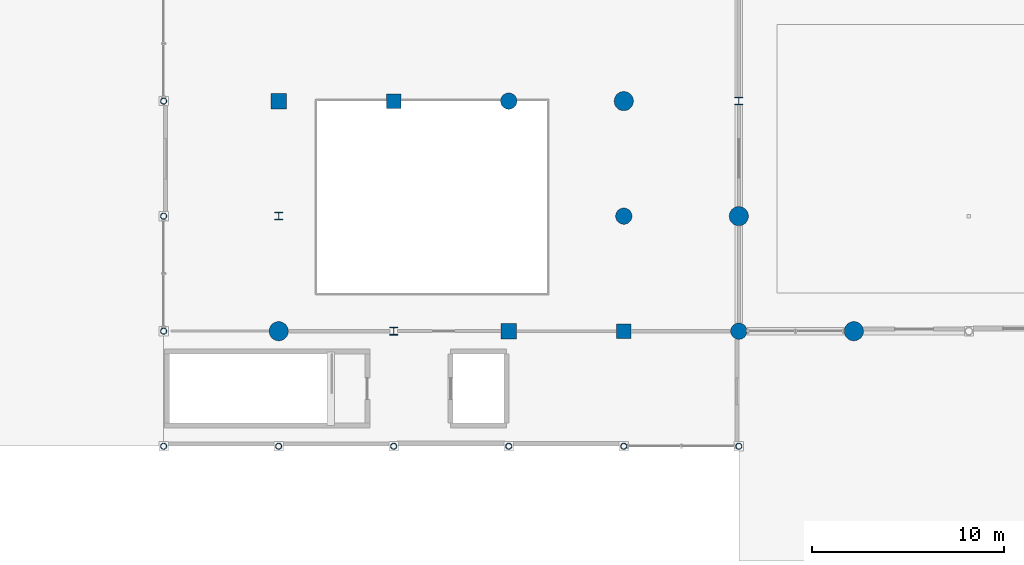
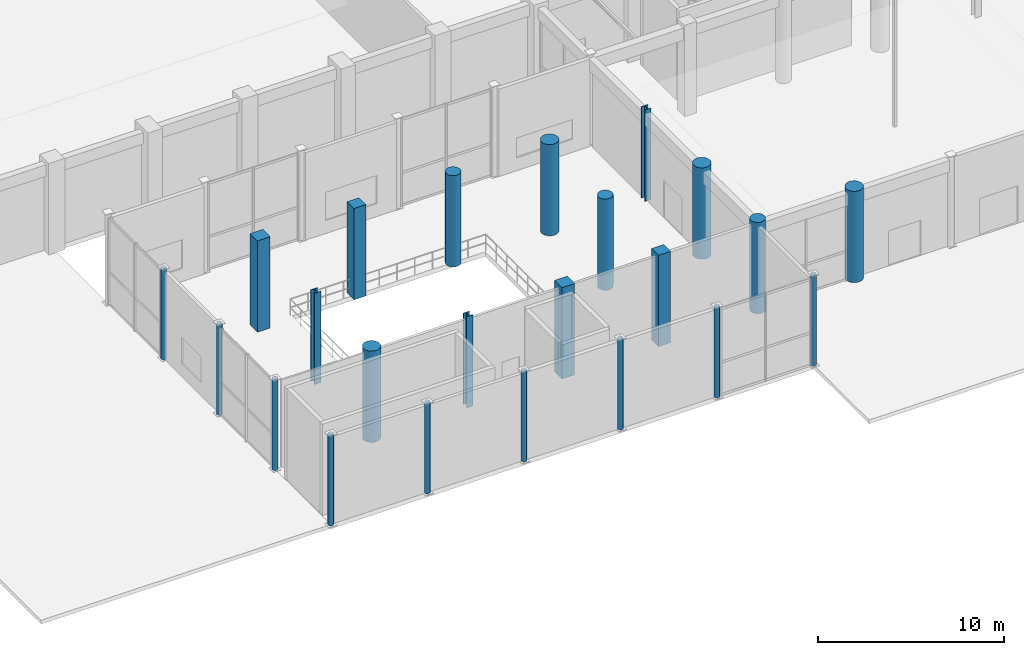
# One storey, part 1 of 106: 23 columns.
"""IFC4 building model written with IfcOpenShell, lengths in metres."""

from ifc_helpers import new_model, si_unit, direction, frame, origin, origin_2d, place, context, subcontext, project, spatial, rectangle, circle, hollow_circle, i_section, extrude, material, material_profile, profile_set, type_object, element, save


model = new_model("IFC4")

# Units and contexts
model_context = context("Model", 3, precision=1e-05, world=origin(), true_north=direction((0.0, 1.0)))
body_context = subcontext(model_context, "Body", "Model", "MODEL_VIEW")
ifc_project = project(units=[si_unit("LENGTHUNIT", "METRE"), si_unit("AREAUNIT", "SQUARE_METRE"), si_unit("VOLUMEUNIT", "CUBIC_METRE"), si_unit("PLANEANGLEUNIT", "RADIAN"), si_unit("MASSUNIT", "GRAM", prefix="KILO"), si_unit("THERMODYNAMICTEMPERATUREUNIT", "KELVIN"), si_unit("POWERUNIT", "WATT")], contexts=[model_context])

# Site, building, storey
site_placement = place(None, origin())
site = spatial("IfcSite", under=ifc_project, at=site_placement, CompositionType="ELEMENT")
building_placement = place(site_placement, origin())
building = spatial("IfcBuilding", under=site, at=building_placement, Name="Phaisarnlok Congress Hotel", CompositionType="ELEMENT")
storey_placement = place(building_placement, origin())
storey = spatial("IfcBuildingStorey", under=building, at=storey_placement, Name="L00", CompositionType="ELEMENT", Elevation=0.0)

# Columns
ifc_material_1 = material(Name="Concrete C50/60", Category="concrete")
ifc_material_profile_1 = material_profile(ifc_material_1, rectangle(XDim=0.75, YDim=0.75, at=origin_2d()), Name="RC 750x750")
ifc_profile_set_1 = profile_set([ifc_material_profile_1], Name="Concrete C50/60")
column_type_1 = type_object("IfcColumnType", Name="COL-RC-750", PredefinedType="COLUMN", material=ifc_profile_set_1)
for number, where, z_axis, x_axis, name in (
    (1, (36.0, 30.0, 0.0), (0.0, 0.0, 1.0), (1.0, 0.0, 0.0), "Column C-06 (L00)"),
    (2, (48.0, 18.0, 0.0), (0.0, 0.0, 1.0), (1.0, 0.0, 0.0), "Column C-06 (L00)"),
):
    element("IfcColumn", number, at=place(storey_placement, frame(where, z_axis=z_axis, x_axis=x_axis)), inside=storey, type_object=column_type_1, Name=name, PredefinedType="COLUMN", context=body_context, shape_type="SweptSolid", body=[
        extrude(rectangle(XDim=0.75, YDim=0.75, at=origin_2d()), origin(), (0.0, 0.0, 1.0), 6.0),
    ])
ifc_material_profile_2 = material_profile(ifc_material_1, rectangle(XDim=0.800048828125, YDim=0.800048828125, at=origin_2d()), Name="RC 800x800")
ifc_profile_set_2 = profile_set([ifc_material_profile_2], Name="Concrete C50/60")
column_type_2 = type_object("IfcColumnType", Name="COL-RC-800", PredefinedType="COLUMN", material=ifc_profile_set_2)
for number, where, z_axis, x_axis, name in (
    (3, (30.0, 30.0, 0.0), (0.0, 0.0, 1.0), (1.0, 0.0, 0.0), "Column C-07 (L00)"),
    (4, (42.0, 18.0, 0.0), (0.0, 0.0, 1.0), (1.0, 0.0, 0.0), "Column C-07 (L00)"),
):
    element("IfcColumn", number, at=place(storey_placement, frame(where, z_axis=z_axis, x_axis=x_axis)), inside=storey, type_object=column_type_2, Name=name, PredefinedType="COLUMN", context=body_context, shape_type="SweptSolid", body=[
        extrude(rectangle(XDim=0.800048828125, YDim=0.800048828125, at=origin_2d()), origin(), (0.0, 0.0, 1.0), 6.0),
    ])
ifc_material_profile_3 = material_profile(ifc_material_1, circle(Radius=0.5, at=origin_2d()), Name="RCC D1000")
ifc_profile_set_3 = profile_set([ifc_material_profile_3], Name="Concrete C50/60")
column_type_3 = type_object("IfcColumnType", Name="COL-RCC-1000", PredefinedType="COLUMN", material=ifc_profile_set_3)
for number, where, z_axis, x_axis, name in (
    (5, (30.0, 18.0, 0.0), (0.0, 0.0, 1.0), (1.0, 0.0, 0.0), "Column C-15 (L00)"),
    (6, (48.0, 30.0, 0.0), (0.0, 0.0, 1.0), (1.0, 0.0, 0.0), "Column C-15 (L00)"),
    (7, (54.0, 24.0, 0.0), (0.0, 0.0, 1.0), (1.0, 0.0, 0.0), "Column C-15 (L00)"),
    (8, (60.0, 18.0, 0.0), (0.0, 0.0, 1.0), (1.0, 0.0, 0.0), "Column C-15 (L00)"),
):
    element("IfcColumn", number, at=place(storey_placement, frame(where, z_axis=z_axis, x_axis=x_axis)), inside=storey, type_object=column_type_3, Name=name, PredefinedType="COLUMN", context=body_context, shape_type="SweptSolid", body=[
        extrude(circle(Radius=0.5, at=origin_2d()), origin(), (0.0, 0.0, 1.0), 6.0),
    ])
ifc_material_profile_4 = material_profile(ifc_material_1, circle(Radius=0.425048828125, at=origin_2d()), Name="RCC D850")
ifc_profile_set_4 = profile_set([ifc_material_profile_4], Name="Concrete C50/60")
column_type_4 = type_object("IfcColumnType", Name="COL-RCC-850", PredefinedType="COLUMN", material=ifc_profile_set_4)
for number, where, z_axis, x_axis, name in (
    (9, (42.0, 30.0, 0.0), (0.0, 0.0, 1.0), (1.0, 0.0, 0.0), "Column C-14 (L00)"),
    (10, (48.0, 24.0, 0.0), (0.0, 0.0, 1.0), (1.0, 0.0, 0.0), "Column C-14 (L00)"),
    (11, (54.0, 18.0, 0.0), (0.0, 0.0, 1.0), (1.0, 0.0, 0.0), "Column C-14 (L00)"),
):
    element("IfcColumn", number, at=place(storey_placement, frame(where, z_axis=z_axis, x_axis=x_axis)), inside=storey, type_object=column_type_4, Name=name, PredefinedType="COLUMN", context=body_context, shape_type="SweptSolid", body=[
        extrude(circle(Radius=0.425048828125, at=origin_2d()), origin(), (0.0, 0.0, 1.0), 6.0),
    ])
ifc_material_2 = material(Name="Steel S355", Category="steel")
ifc_material_profile_5 = material_profile(ifc_material_2, hollow_circle(Radius=0.161865234375, WallThickness=0.01611328125, at=origin_2d()), Name="CHS 323.9x16")
ifc_profile_set_5 = profile_set([ifc_material_profile_5], Name="Steel S355")
column_type_5 = type_object("IfcColumnType", Name="COL-STL-CHS324", PredefinedType="COLUMN", material=ifc_profile_set_5)
for number, where, z_axis, x_axis, name in (
    (12, (24.0, 12.0, 0.0), (0.0, 0.0, 1.0), (1.0, 0.0, 0.0), "Column SC-01 (L00)"),
    (13, (24.0, 18.0, 0.0), (0.0, 0.0, 1.0), (1.0, 0.0, 0.0), "Column SC-01 (L00)"),
    (14, (24.0, 24.0, 0.0), (0.0, 0.0, 1.0), (1.0, 0.0, 0.0), "Column SC-01 (L00)"),
    (15, (24.0, 30.0, 0.0), (0.0, 0.0, 1.0), (1.0, 0.0, 0.0), "Column SC-01 (L00)"),
    (16, (30.0, 12.0, 0.0), (0.0, 0.0, 1.0), (1.0, 0.0, 0.0), "Column SC-01 (L00)"),
    (17, (36.0, 12.0, 0.0), (0.0, 0.0, 1.0), (1.0, 0.0, 0.0), "Column SC-01 (L00)"),
    (18, (42.0, 12.0, 0.0), (0.0, 0.0, 1.0), (1.0, 0.0, 0.0), "Column SC-01 (L00)"),
    (19, (48.0, 12.0, 0.0), (0.0, 0.0, 1.0), (1.0, 0.0, 0.0), "Column SC-01 (L00)"),
    (20, (54.0, 12.0, 0.0), (0.0, 0.0, 1.0), (1.0, 0.0, 0.0), "Column SC-01 (L00)"),
):
    element("IfcColumn", number, at=place(storey_placement, frame(where, z_axis=z_axis, x_axis=x_axis)), inside=storey, type_object=column_type_5, Name=name, PredefinedType="COLUMN", context=body_context, shape_type="SweptSolid", body=[
        extrude(hollow_circle(Radius=0.161865234375, WallThickness=0.01611328125, at=origin_2d()), origin(), (0.0, 0.0, 1.0), 6.0),
    ])
ifc_material_profile_6 = material_profile(ifc_material_2, i_section(OverallWidth=0.40087890625, OverallDepth=0.39892578125, WebThickness=0.0185546875, FlangeThickness=0.030029296875, FilletRadius=0.014892578125, at=origin_2d()), Name="HD 400x314")
ifc_profile_set_6 = profile_set([ifc_material_profile_6], Name="Steel S355")
column_type_6 = type_object("IfcColumnType", Name="COL-STL-HD314", PredefinedType="COLUMN", material=ifc_profile_set_6)
for number, where, z_axis, x_axis, name in (
    (21, (30.0, 24.0, 0.0), (0.0, 0.0, 1.0), (1.0, 0.0, 0.0), "Column SC-04 (L00)"),
    (22, (36.0, 18.0, 0.0), (0.0, 0.0, 1.0), (1.0, 0.0, 0.0), "Column SC-04 (L00)"),
    (23, (54.0, 30.0, 0.0), (0.0, 0.0, 1.0), (1.0, 0.0, 0.0), "Column SC-04 (L00)"),
):
    element("IfcColumn", number, at=place(storey_placement, frame(where, z_axis=z_axis, x_axis=x_axis)), inside=storey, type_object=column_type_6, Name=name, PredefinedType="COLUMN", context=body_context, shape_type="SweptSolid", body=[
        extrude(i_section(OverallWidth=0.40087890625, OverallDepth=0.39892578125, WebThickness=0.0185546875, FlangeThickness=0.030029296875, FilletRadius=0.014892578125, at=origin_2d()), origin(), (0.0, 0.0, 1.0), 6.0),
    ])

save(model, "model.ifc")
